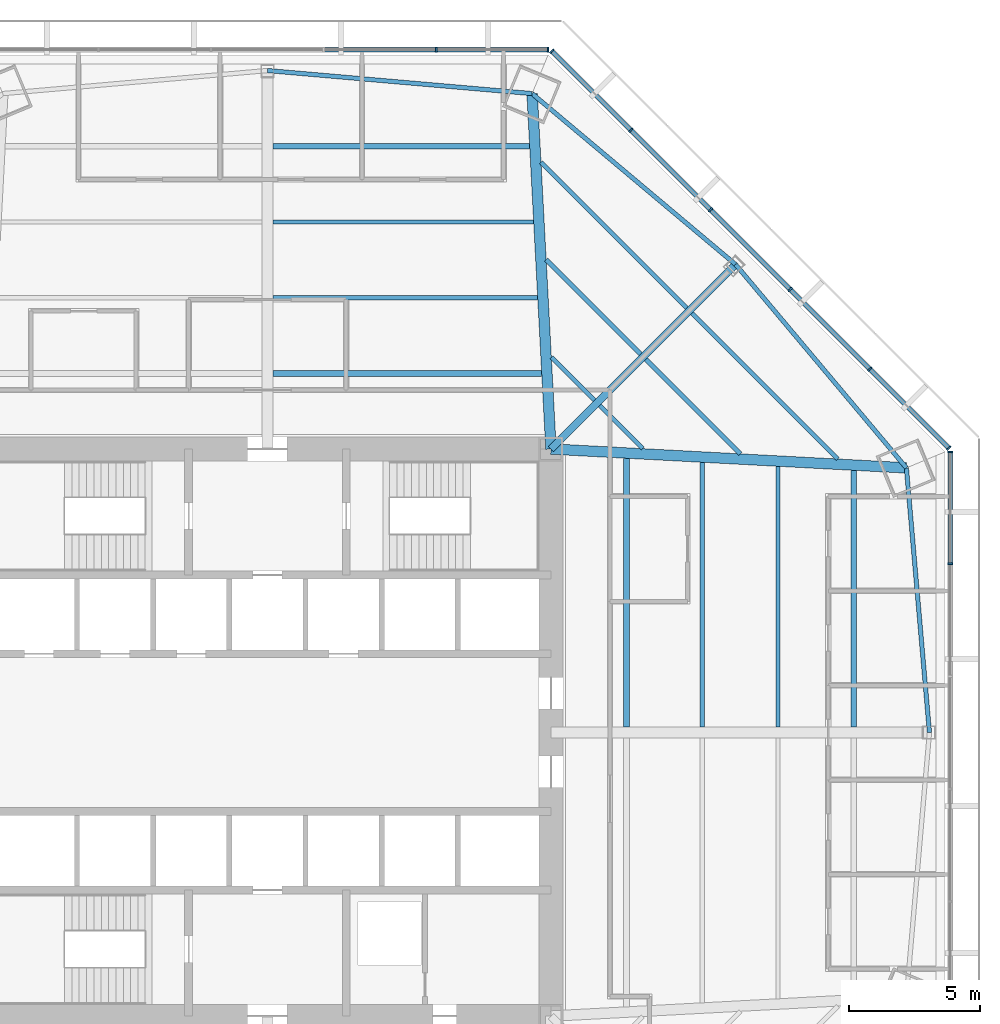
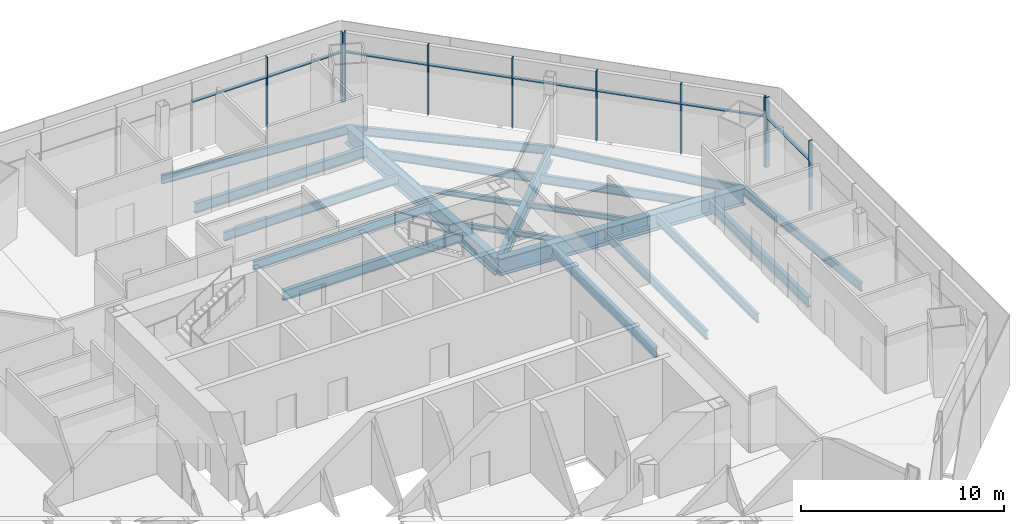
# One storey, part 6 of 15: 21 beams, 18 members, 3 elements without a shape of their own.
"""IFC4 building model written with IfcOpenShell, lengths in metres."""

from ifc_helpers import new_model, si_unit, direction, frame, origin, origin_2d, place, context, subcontext, project, spatial, rectangle, i_section, extrude, source, transform, mapped, material, material_profile, profile_set, type_object, type_shapes, element, aggregate, save


model = new_model("IFC4")

# Units and contexts
model_context = context("Model", 3, precision=1e-05, world=origin(), true_north=direction((0.0, 1.0)))
body_context = subcontext(model_context, "Body", "Model", "MODEL_VIEW")
ifc_project = project(units=[si_unit("LENGTHUNIT", "METRE"), si_unit("AREAUNIT", "SQUARE_METRE"), si_unit("VOLUMEUNIT", "CUBIC_METRE"), si_unit("PLANEANGLEUNIT", "RADIAN"), si_unit("MASSUNIT", "GRAM", prefix="KILO")], contexts=[model_context])

# Site, building, storey
site_placement = place(None, origin())
site = spatial("IfcSite", under=ifc_project, at=site_placement, CompositionType="ELEMENT")
building_placement = place(site_placement, origin())
building = spatial("IfcBuilding", under=site, at=building_placement, Name="Mashrafa Tower", CompositionType="ELEMENT")
storey_placement = place(building_placement, frame((0.0, 0.0, 70.800048828125)))
storey = spatial("IfcBuildingStorey", under=building, at=storey_placement, Name="L15", CompositionType="ELEMENT", Elevation=70.800048828125)

# Beams
ifc_material_1 = material(Name="Steel ASTM A992", Category="steel")
ifc_material_profile_1 = material_profile(ifc_material_1, i_section(OverallWidth=0.164794921875, OverallDepth=0.309814453125, WebThickness=0.005859375, FlangeThickness=0.009765625, FilletRadius=0.007568359375, at=origin_2d()), Name="W12X26")
ifc_profile_set_1 = profile_set([ifc_material_profile_1], Name="Steel ASTM A992")
beam_type_1 = type_object("IfcBeamType", Name="Beam W12X26", PredefinedType="BEAM", material=ifc_profile_set_1)
beam_1_placement = place(storey_placement, frame((10.617919921875, 18.0126953125, -0.320068359375), z_axis=(0.707130796904, -0.707082764653, 0.0), x_axis=(0.707082764653, 0.707130796904, 0.0)))
element("IfcBeam", 1, at=beam_1_placement, inside=storey, type_object=beam_type_1, Name="Floor beam L15 036", PredefinedType="BEAM", context=body_context, shape_type="SweptSolid", body=[
    extrude(i_section(OverallWidth=0.164794921875, OverallDepth=0.309814453125, WebThickness=0.005859375, FlangeThickness=0.009765625, FilletRadius=0.007568359375, at=origin_2d()), origin(), (0.0, 0.0, 1.0), 5.082763671875),
])
for number, where, z_axis, x_axis, name in (
    (2, (10.815185546875, 14.30029296875, -0.320068359375), (0.707054124019, -0.707159434433, 0.0), (0.707159434433, 0.707054124019, 0.0), "Floor beam L15 038"),
    (3, (12.660888671875, 12.454345703125, -0.320068359375), (0.707159434433, -0.707054124019, 0.0), (0.707054124019, 0.707159434433, 0.0), "Floor beam L15 041"),
):
    element("IfcBeam", number, at=place(storey_placement, frame(where, z_axis=z_axis, x_axis=x_axis)), inside=storey, type_object=beam_type_1, Name=name, PredefinedType="BEAM", context=body_context, shape_type="SweptSolid", body=[
        extrude(i_section(OverallWidth=0.164794921875, OverallDepth=0.309814453125, WebThickness=0.005859375, FlangeThickness=0.009765625, FilletRadius=0.007568359375, at=origin_2d()), origin(), (0.0, 0.0, 1.0), 2.318359375),
    ])
beam_2_placement = place(storey_placement, frame((14.418701171875, 14.212158203125, -0.320068359375), z_axis=(0.707082764653, -0.707130796904, 0.0), x_axis=(0.707130796904, 0.707082764653, 0.0)))
element("IfcBeam", 4, at=beam_2_placement, inside=storey, type_object=beam_type_1, Name="Floor beam L15 045", PredefinedType="BEAM", context=body_context, shape_type="SweptSolid", body=[
    extrude(i_section(OverallWidth=0.164794921875, OverallDepth=0.309814453125, WebThickness=0.005859375, FlangeThickness=0.009765625, FilletRadius=0.007568359375, at=origin_2d()), origin(), (0.0, 0.0, 1.0), 5.082763671875),
])
ifc_material_2 = material(Name="Steel ASTM A992", Category="steel")
ifc_material_profile_2 = material_profile(ifc_material_2, i_section(OverallWidth=0.165771484375, OverallDepth=0.5283203125, WebThickness=0.009765625, FlangeThickness=0.013671875, FilletRadius=0.012939453125, at=origin_2d()), Name="W21X50")
ifc_profile_set_2 = profile_set([ifc_material_profile_2], Name="Steel ASTM A992")
beam_type_2 = type_object("IfcBeamType", Name="Beam W21X50", PredefinedType="BEAM", material=ifc_profile_set_2)
beam_3_placement = place(storey_placement, frame((0.212158203125, 16.566650390625, -0.42919921875), z_axis=(1.0, 0.0, 0.0), x_axis=(0.0, 1.0, 0.0)))
element("IfcBeam", 5, at=beam_3_placement, inside=storey, type_object=beam_type_2, Name="Floor beam L15 030", PredefinedType="BEAM", context=body_context, shape_type="SweptSolid", body=[
    extrude(i_section(OverallWidth=0.165771484375, OverallDepth=0.5283203125, WebThickness=0.009765625, FlangeThickness=0.013671875, FilletRadius=0.012939453125, at=origin_2d()), origin(), (0.0, 0.0, 1.0), 10.080810546875),
])
beam_4_placement = place(storey_placement, frame((0.212158203125, 19.449951171875, -0.42919921875), z_axis=(1.0, 0.0, 0.0), x_axis=(0.0, 1.0, 0.0)))
element("IfcBeam", 6, at=beam_4_placement, inside=storey, type_object=beam_type_2, Name="Floor beam L15 031", PredefinedType="BEAM", context=body_context, shape_type="SweptSolid", body=[
    extrude(i_section(OverallWidth=0.165771484375, OverallDepth=0.5283203125, WebThickness=0.009765625, FlangeThickness=0.013671875, FilletRadius=0.012939453125, at=origin_2d()), origin(), (0.0, 0.0, 1.0), 9.927734375),
])
for number, where, z_axis, x_axis, name in (
    (7, (10.4208984375, 21.72509765625, -0.42919921875), (0.707122337209, -0.707091224822, 0.0), (0.707091224822, 0.707122337209, 0.0), "Floor beam L15 034"),
    (8, (16.176513671875, 15.9697265625, -0.42919921875), (0.707091224822, -0.707122337209, 0.0), (0.707122337209, 0.707091224822, 0.0), "Floor beam L15 048"),
):
    element("IfcBeam", number, at=place(storey_placement, frame(where, z_axis=z_axis, x_axis=x_axis)), inside=storey, type_object=beam_type_2, Name=name, PredefinedType="BEAM", context=body_context, shape_type="SweptSolid", body=[
        extrude(i_section(OverallWidth=0.165771484375, OverallDepth=0.5283203125, WebThickness=0.009765625, FlangeThickness=0.013671875, FilletRadius=0.012939453125, at=origin_2d()), origin(), (0.0, 0.0, 1.0), 7.84716796875),
    ])
beam_5_placement = place(storey_placement, frame((16.566650390625, 10.29296875, -0.42919921875), z_axis=(0.0, -1.0, 0.0), x_axis=(1.0, 0.0, 0.0)))
element("IfcBeam", 9, at=beam_5_placement, inside=storey, type_object=beam_type_2, Name="Floor beam L15 050", PredefinedType="BEAM", context=body_context, shape_type="SweptSolid", body=[
    extrude(i_section(OverallWidth=0.165771484375, OverallDepth=0.5283203125, WebThickness=0.009765625, FlangeThickness=0.013671875, FilletRadius=0.012939453125, at=origin_2d()), origin(), (0.0, 0.0, 1.0), 10.080810546875),
])
beam_6_placement = place(storey_placement, frame((19.449951171875, 10.139892578125, -0.42919921875), z_axis=(0.0, -1.0, 0.0), x_axis=(1.0, 0.0, 0.0)))
element("IfcBeam", 10, at=beam_6_placement, inside=storey, type_object=beam_type_2, Name="Floor beam L15 053", PredefinedType="BEAM", context=body_context, shape_type="SweptSolid", body=[
    extrude(i_section(OverallWidth=0.165771484375, OverallDepth=0.5283203125, WebThickness=0.009765625, FlangeThickness=0.013671875, FilletRadius=0.012939453125, at=origin_2d()), origin(), (0.0, 0.0, 1.0), 9.927734375),
])
for number, where, z_axis, x_axis, name in (
    (11, (10.081298828125, 24.33837890625, -0.42919921875), (-0.996227450141, 0.086780571481, 0.0), (-0.086780571481, -0.996227450141, 0.0), "Spandrel beam L15 083"),
    (12, (17.830810546875, 17.830810546875, -0.42919921875), (-0.765803237764, 0.643074957552, 0.0), (-0.643074957552, -0.765803237764, 0.0), "Spandrel beam L15 085"),
    (13, (24.33837890625, 10.081298828125, -0.42919921875), (-0.643074957552, 0.765803237764, 0.0), (-0.765803237764, -0.643074957552, 0.0), "Spandrel beam L15 087"),
    (14, (25.216552734375, 0.0, -0.42919921875), (-0.086780571481, 0.996227450141, 0.0), (-0.996227450141, -0.086780571481, 0.0), "Spandrel beam L15 088"),
):
    element("IfcBeam", number, at=place(storey_placement, frame(where, z_axis=z_axis, x_axis=x_axis)), inside=storey, type_object=beam_type_2, Name=name, PredefinedType="BEAM", context=body_context, shape_type="SweptSolid", body=[
        extrude(i_section(OverallWidth=0.165771484375, OverallDepth=0.5283203125, WebThickness=0.009765625, FlangeThickness=0.013671875, FilletRadius=0.012939453125, at=origin_2d()), origin(), (0.0, 0.0, 1.0), 10.119384765625),
    ])
ifc_material_3 = material(Name="Steel ASTM A992", Category="steel")
ifc_material_profile_3 = material_profile(ifc_material_3, i_section(OverallWidth=0.227783203125, OverallDepth=0.60205078125, WebThickness=0.010498046875, FlangeThickness=0.014892578125, FilletRadius=0.012939453125, at=origin_2d()), Name="W24X68")
ifc_profile_set_3 = profile_set([ifc_material_profile_3], Name="Steel ASTM A992")
beam_type_3 = type_object("IfcBeamType", Name="Beam W24X68", PredefinedType="BEAM", material=ifc_profile_set_3)
beam_7_placement = place(storey_placement, frame((0.212158203125, 13.683349609375, -0.466064453125), z_axis=(1.0, 0.0, 0.0), x_axis=(0.0, 1.0, 0.0)))
element("IfcBeam", 15, at=beam_7_placement, inside=storey, type_object=beam_type_3, Name="Floor beam L15 029", PredefinedType="BEAM", context=body_context, shape_type="SweptSolid", body=[
    extrude(i_section(OverallWidth=0.227783203125, OverallDepth=0.60205078125, WebThickness=0.010498046875, FlangeThickness=0.014892578125, FilletRadius=0.012939453125, at=origin_2d()), origin(), (0.0, 0.0, 1.0), 10.23388671875),
])
beam_8_placement = place(storey_placement, frame((0.212158203125, 22.333251953125, -0.466064453125), z_axis=(1.0, 0.0, 0.0), x_axis=(0.0, 1.0, 0.0)))
element("IfcBeam", 16, at=beam_8_placement, inside=storey, type_object=beam_type_3, Name="Floor beam L15 032", PredefinedType="BEAM", context=body_context, shape_type="SweptSolid", body=[
    extrude(i_section(OverallWidth=0.227783203125, OverallDepth=0.60205078125, WebThickness=0.010498046875, FlangeThickness=0.014892578125, FilletRadius=0.012939453125, at=origin_2d()), origin(), (0.0, 0.0, 1.0), 9.774658203125),
])
beam_9_placement = place(storey_placement, frame((13.683349609375, 10.446044921875, -0.466064453125), z_axis=(0.0, -1.0, 0.0), x_axis=(1.0, 0.0, 0.0)))
element("IfcBeam", 17, at=beam_9_placement, inside=storey, type_object=beam_type_3, Name="Floor beam L15 043", PredefinedType="BEAM", context=body_context, shape_type="SweptSolid", body=[
    extrude(i_section(OverallWidth=0.227783203125, OverallDepth=0.60205078125, WebThickness=0.010498046875, FlangeThickness=0.014892578125, FilletRadius=0.012939453125, at=origin_2d()), origin(), (0.0, 0.0, 1.0), 10.23388671875),
])
beam_10_placement = place(storey_placement, frame((22.333251953125, 9.98681640625, -0.466064453125), z_axis=(0.0, -1.0, 0.0), x_axis=(1.0, 0.0, 0.0)))
element("IfcBeam", 18, at=beam_10_placement, inside=storey, type_object=beam_type_3, Name="Floor beam L15 056", PredefinedType="BEAM", context=body_context, shape_type="SweptSolid", body=[
    extrude(i_section(OverallWidth=0.227783203125, OverallDepth=0.60205078125, WebThickness=0.010498046875, FlangeThickness=0.014892578125, FilletRadius=0.012939453125, at=origin_2d()), origin(), (0.0, 0.0, 1.0), 9.774658203125),
])
ifc_material_4 = material(Name="Steel ASTM A992", Category="steel")
ifc_material_profile_4 = material_profile(ifc_material_4, i_section(OverallWidth=0.2919921875, OverallDepth=0.8583984375, WebThickness=0.01708984375, FlangeThickness=0.031005859375, FilletRadius=0.017822265625, at=origin_2d()), Name="W33X169")
ifc_profile_set_4 = profile_set([ifc_material_profile_4], Name="Steel ASTM A992")
beam_type_4 = type_object("IfcBeamType", Name="Beam W33X169", PredefinedType="BEAM", material=ifc_profile_set_4)
beam_11_placement = place(storey_placement, frame((10.800048828125, 10.800048828125, -0.59423828125), z_axis=(0.707106781187, 0.707106781187, 0.0), x_axis=(-0.707106781187, 0.707106781187, 0.0)))
element("IfcBeam", 19, at=beam_11_placement, inside=storey, type_object=beam_type_4, Name="Radial girder L15 071", PredefinedType="BEAM", context=body_context, shape_type="SweptSolid", body=[
    extrude(i_section(OverallWidth=0.2919921875, OverallDepth=0.8583984375, WebThickness=0.01708984375, FlangeThickness=0.031005859375, FilletRadius=0.017822265625, at=origin_2d()), origin(), (0.0, 0.0, 1.0), 9.943115234375),
])
ifc_material_5 = material(Name="Steel ASTM A992", Category="steel")
ifc_material_profile_5 = material_profile(ifc_material_5, i_section(OverallWidth=0.4013671875, OverallDepth=1.010986328125, WebThickness=0.023681640625, FlangeThickness=0.0419921875, FilletRadius=0.02001953125, at=origin_2d()), Name="W40X297")
ifc_profile_set_5 = profile_set([ifc_material_profile_5], Name="Steel ASTM A992")
beam_type_5 = type_object("IfcBeamType", Name="Beam W40X297", PredefinedType="BEAM", material=ifc_profile_set_5)
for number, where, z_axis, x_axis, name in (
    (20, (10.800048828125, 10.800048828125, -0.67041015625), (-0.05301534356, 0.998593697831, 0.0), (-0.998593697831, -0.05301534356, 0.0), "Radial girder L15 070"),
    (21, (10.800048828125, 10.800048828125, -0.67041015625), (0.998593697831, -0.05301534356, 0.0), (0.05301534356, 0.998593697831, 0.0), "Radial girder L15 072"),
):
    element("IfcBeam", number, at=place(storey_placement, frame(where, z_axis=z_axis, x_axis=x_axis)), inside=storey, type_object=beam_type_5, Name=name, PredefinedType="BEAM", context=body_context, shape_type="SweptSolid", body=[
        extrude(i_section(OverallWidth=0.4013671875, OverallDepth=1.010986328125, WebThickness=0.023681640625, FlangeThickness=0.0419921875, FilletRadius=0.02001953125, at=origin_2d()), origin(), (0.0, 0.0, 1.0), 13.557373046875),
    ])

# Curtain wall, members
ifc_material_6 = material(Name="Unitised aluminium curtain wall", Category="aluminium")
curtain_wall_type = type_object("IfcCurtainWallType", Name="Office curtain wall, zone 1 CW-A 200 deep", PredefinedType="NOTDEFINED", material=ifc_material_6)
curtain_wall_1_placement = place(storey_placement, origin())
curtain_wall_1 = element("IfcCurtainWall", 22, at=curtain_wall_1_placement, inside=storey, type_object=curtain_wall_type, Name="Office curtain wall, zone 1 L15 east", PredefinedType="NOTDEFINED")
ifc_material_7 = material(Name="Extruded aluminium mullion", Category="aluminium")
ifc_material_profile_6 = material_profile(ifc_material_7, rectangle(XDim=0.199951171875, YDim=0.06494140625, at=origin_2d()), Name="Mullion 65x200")
ifc_profile_set_6 = profile_set([ifc_material_profile_6], Name="Extruded aluminium mullion")
member_type_1 = type_object("IfcMemberType", Name="Mullion CW-A 65 x 200", PredefinedType="MULLION", material=ifc_profile_set_6)
shared_shape_1 = source(origin(), body_context, "Body", "SweptSolid", [
    extrude(rectangle(XDim=0.199951171875, YDim=0.06494140625, at=origin_2d()), origin(), (0.0, 0.0, 1.0), 4.199951171875),
])
type_shapes(member_type_1, [shared_shape_1])
member_1_placement = place(storey_placement, frame((26.011962890625, 6.433837890625, 0.0), z_axis=(0.0, 0.0, 1.0), x_axis=(-1.0, 0.0, 0.0)))
member_1 = element("IfcMember", 23, at=member_1_placement, type_object=member_type_1, Name="CW-A mullion 5", PredefinedType="MULLION", context=body_context, shape_type="MappedRepresentation", body=[
    mapped(shared_shape_1, transform((0.0, 0.0, 0.0))),
])
member_2_placement = place(storey_placement, frame((26.011962890625, 10.690673828125, 0.0), z_axis=(0.0, 0.0, 1.0), x_axis=(-1.0, 0.0, 0.0)))
member_2 = element("IfcMember", 24, at=member_2_placement, type_object=member_type_1, Name="CW-A mullion 6", PredefinedType="MULLION", context=body_context, shape_type="MappedRepresentation", body=[
    mapped(shared_shape_1, transform((0.0, 0.0, 0.0))),
])

curtain_wall_2_placement = place(storey_placement, origin())
curtain_wall_2 = element("IfcCurtainWall", 25, at=curtain_wall_2_placement, inside=storey, type_object=curtain_wall_type, Name="Office curtain wall, zone 1 L15 north-east", PredefinedType="NOTDEFINED")
member_3_placement = place(storey_placement, frame((25.95263671875, 10.833740234375, 0.0), z_axis=(0.0, 0.0, 1.0), x_axis=(-0.707106781187, -0.707106781187, 0.0)))
member_3 = element("IfcMember", 26, at=member_3_placement, type_object=member_type_1, Name="CW-A mullion 1", PredefinedType="MULLION", context=body_context, shape_type="MappedRepresentation", body=[
    mapped(shared_shape_1, transform((0.0, 0.0, 0.0))),
])
member_4_placement = place(storey_placement, frame((22.942626953125, 13.84375, 0.0), z_axis=(0.0, 0.0, 1.0), x_axis=(-0.707106781187, -0.707106781187, 0.0)))
member_4 = element("IfcMember", 27, at=member_4_placement, type_object=member_type_1, Name="CW-A mullion 2", PredefinedType="MULLION", context=body_context, shape_type="MappedRepresentation", body=[
    mapped(shared_shape_1, transform((0.0, 0.0, 0.0))),
])
member_5_placement = place(storey_placement, frame((19.90966796875, 16.876708984375, 0.0), z_axis=(0.0, 0.0, 1.0), x_axis=(-0.707106781187, -0.707106781187, 0.0)))
member_5 = element("IfcMember", 28, at=member_5_placement, type_object=member_type_1, Name="CW-A mullion 3", PredefinedType="MULLION", context=body_context, shape_type="MappedRepresentation", body=[
    mapped(shared_shape_1, transform((0.0, 0.0, 0.0))),
])
member_6_placement = place(storey_placement, frame((16.876708984375, 19.90966796875, 0.0), z_axis=(0.0, 0.0, 1.0), x_axis=(-0.707106781187, -0.707106781187, 0.0)))
member_6 = element("IfcMember", 29, at=member_6_placement, type_object=member_type_1, Name="CW-A mullion 4", PredefinedType="MULLION", context=body_context, shape_type="MappedRepresentation", body=[
    mapped(shared_shape_1, transform((0.0, 0.0, 0.0))),
])
member_7_placement = place(storey_placement, frame((13.84375, 22.942626953125, 0.0), z_axis=(0.0, 0.0, 1.0), x_axis=(-0.707106781187, -0.707106781187, 0.0)))
member_7 = element("IfcMember", 30, at=member_7_placement, type_object=member_type_1, Name="CW-A mullion 5", PredefinedType="MULLION", context=body_context, shape_type="MappedRepresentation", body=[
    mapped(shared_shape_1, transform((0.0, 0.0, 0.0))),
])
member_8_placement = place(storey_placement, frame((10.833740234375, 25.95263671875, 0.0), z_axis=(0.0, 0.0, 1.0), x_axis=(-0.707106781187, -0.707106781187, 0.0)))
member_8 = element("IfcMember", 31, at=member_8_placement, type_object=member_type_1, Name="CW-A mullion 6", PredefinedType="MULLION", context=body_context, shape_type="MappedRepresentation", body=[
    mapped(shared_shape_1, transform((0.0, 0.0, 0.0))),
])

curtain_wall_3_placement = place(storey_placement, origin())
curtain_wall_3 = element("IfcCurtainWall", 32, at=curtain_wall_3_placement, inside=storey, type_object=curtain_wall_type, Name="Office curtain wall, zone 1 L15 north", PredefinedType="NOTDEFINED")
member_9_placement = place(storey_placement, frame((10.690673828125, 26.011962890625, 0.0), z_axis=(0.0, 0.0, 1.0), x_axis=(0.0, -1.0, 0.0)))
member_9 = element("IfcMember", 33, at=member_9_placement, type_object=member_type_1, Name="CW-A mullion 1", PredefinedType="MULLION", context=body_context, shape_type="MappedRepresentation", body=[
    mapped(shared_shape_1, transform((0.0, 0.0, 0.0))),
])
member_10_placement = place(storey_placement, frame((6.433837890625, 26.011962890625, 0.0), z_axis=(0.0, 0.0, 1.0), x_axis=(0.0, -1.0, 0.0)))
member_10 = element("IfcMember", 34, at=member_10_placement, type_object=member_type_1, Name="CW-A mullion 2", PredefinedType="MULLION", context=body_context, shape_type="MappedRepresentation", body=[
    mapped(shared_shape_1, transform((0.0, 0.0, 0.0))),
])

# Member
ifc_material_8 = material(Name="Extruded aluminium transom", Category="aluminium")
ifc_material_profile_7 = material_profile(ifc_material_8, rectangle(XDim=0.159912109375, YDim=0.080078125, at=origin_2d()), Name="Transom 80x160")
ifc_profile_set_7 = profile_set([ifc_material_profile_7], Name="Extruded aluminium transom")
member_type_2 = type_object("IfcMemberType", Name="Transom CW-A 80 x 160", PredefinedType="MULLION", material=ifc_profile_set_7)
shared_shape_2 = source(origin(), body_context, "Body", "SweptSolid", [
    extrude(rectangle(XDim=0.159912109375, YDim=0.080078125, at=origin_2d()), origin(), (0.0, 0.0, 1.0), 4.191650390625),
])
member_11_placement = place(storey_placement, frame((26.011962890625, 6.46630859375, 3.0), z_axis=(0.0, 1.0, 0.0), x_axis=(-1.0, 0.0, 0.0)))
member_11 = element("IfcMember", 35, at=member_11_placement, type_object=member_type_2, Name="CW-A transom 5", PredefinedType="MULLION", context=body_context, shape_type="MappedRepresentation", body=[
    mapped(shared_shape_2, transform((0.0, 0.0, 0.0))),
])

aggregate(curtain_wall_1, [member_1, member_2, member_11])

member_12_placement = place(storey_placement, frame((25.929443359375, 10.856689453125, 3.0), z_axis=(-0.707077658772, 0.707135902401, 0.0), x_axis=(-0.707135902401, -0.707077658772, 0.0)))
member_12 = element("IfcMember", 36, at=member_12_placement, type_object=member_type_2, Name="CW-A transom 1", PredefinedType="MULLION", context=body_context, shape_type="MappedRepresentation", body=[
    mapped(shared_shape_2, transform((0.0, 0.0, 0.0))),
])

member_13_placement = place(storey_placement, frame((13.82080078125, 22.965576171875, 3.0), z_axis=(-0.707135902401, 0.707077658772, 0.0), x_axis=(-0.707077658772, -0.707135902401, 0.0)))
member_13 = element("IfcMember", 37, at=member_13_placement, type_object=member_type_2, Name="CW-A transom 5", PredefinedType="MULLION", context=body_context, shape_type="MappedRepresentation", body=[
    mapped(shared_shape_2, transform((0.0, 0.0, 0.0))),
])

member_14_placement = place(storey_placement, frame((10.657958984375, 26.011962890625, 3.0), z_axis=(-1.0, 0.0, 0.0), x_axis=(0.0, -1.0, 0.0)))
member_14 = element("IfcMember", 38, at=member_14_placement, type_object=member_type_2, Name="CW-A transom 1", PredefinedType="MULLION", context=body_context, shape_type="MappedRepresentation", body=[
    mapped(shared_shape_2, transform((0.0, 0.0, 0.0))),
])

shared_shape_3 = source(origin(), body_context, "Body", "SweptSolid", [
    extrude(rectangle(XDim=0.159912109375, YDim=0.080078125, at=origin_2d()), origin(), (0.0, 0.0, 1.0), 4.224365234375),
])
type_shapes(member_type_2, [shared_shape_2, shared_shape_3])
member_15_placement = place(storey_placement, frame((22.919677734375, 13.86669921875, 3.0), z_axis=(-0.707106781187, 0.707106781187, 0.0), x_axis=(-0.707106781187, -0.707106781187, 0.0)))
member_15 = element("IfcMember", 39, at=member_15_placement, type_object=member_type_2, Name="CW-A transom 2", PredefinedType="MULLION", context=body_context, shape_type="MappedRepresentation", body=[
    mapped(shared_shape_3, transform((0.0, 0.0, 0.0))),
])

member_16_placement = place(storey_placement, frame((19.88671875, 16.899658203125, 3.0), z_axis=(-0.707106781187, 0.707106781187, 0.0), x_axis=(-0.707106781187, -0.707106781187, 0.0)))
member_16 = element("IfcMember", 40, at=member_16_placement, type_object=member_type_2, Name="CW-A transom 3", PredefinedType="MULLION", context=body_context, shape_type="MappedRepresentation", body=[
    mapped(shared_shape_3, transform((0.0, 0.0, 0.0))),
])

member_17_placement = place(storey_placement, frame((16.853759765625, 19.9326171875, 3.0), z_axis=(-0.707106781187, 0.707106781187, 0.0), x_axis=(-0.707106781187, -0.707106781187, 0.0)))
member_17 = element("IfcMember", 41, at=member_17_placement, type_object=member_type_2, Name="CW-A transom 4", PredefinedType="MULLION", context=body_context, shape_type="MappedRepresentation", body=[
    mapped(shared_shape_3, transform((0.0, 0.0, 0.0))),
])

aggregate(curtain_wall_2, [member_3, member_4, member_5, member_6, member_7, member_8, member_12, member_15, member_16, member_17, member_13])

member_18_placement = place(storey_placement, frame((6.4013671875, 26.011962890625, 3.0), z_axis=(-1.0, 0.0, 0.0), x_axis=(0.0, -1.0, 0.0)))
member_18 = element("IfcMember", 42, at=member_18_placement, type_object=member_type_2, Name="CW-A transom 2", PredefinedType="MULLION", context=body_context, shape_type="MappedRepresentation", body=[
    mapped(shared_shape_3, transform((0.0, 0.0, 0.0))),
])

aggregate(curtain_wall_3, [member_9, member_10, member_14, member_18])

save(model, "model.ifc")
